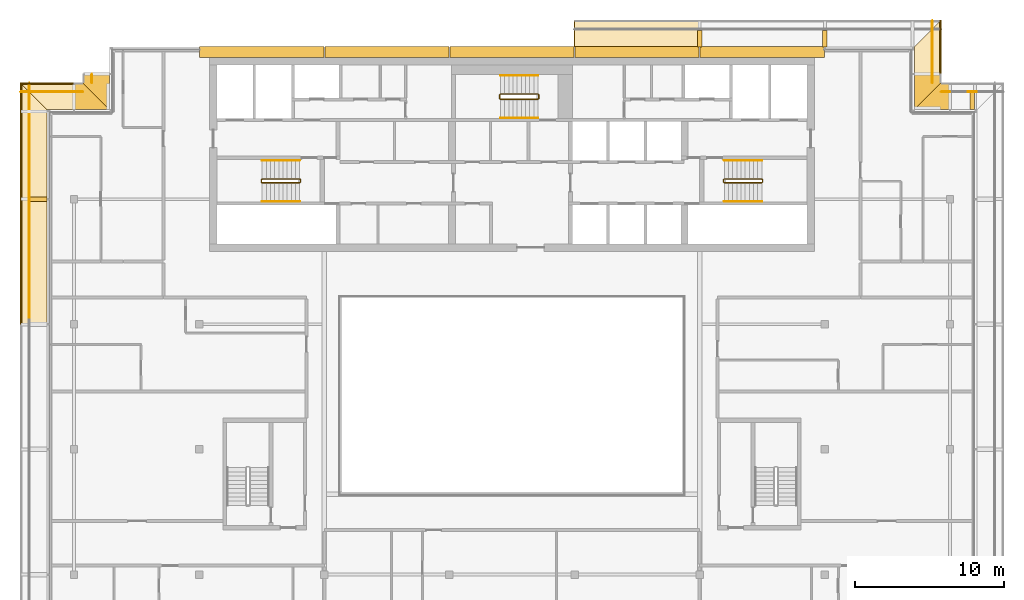
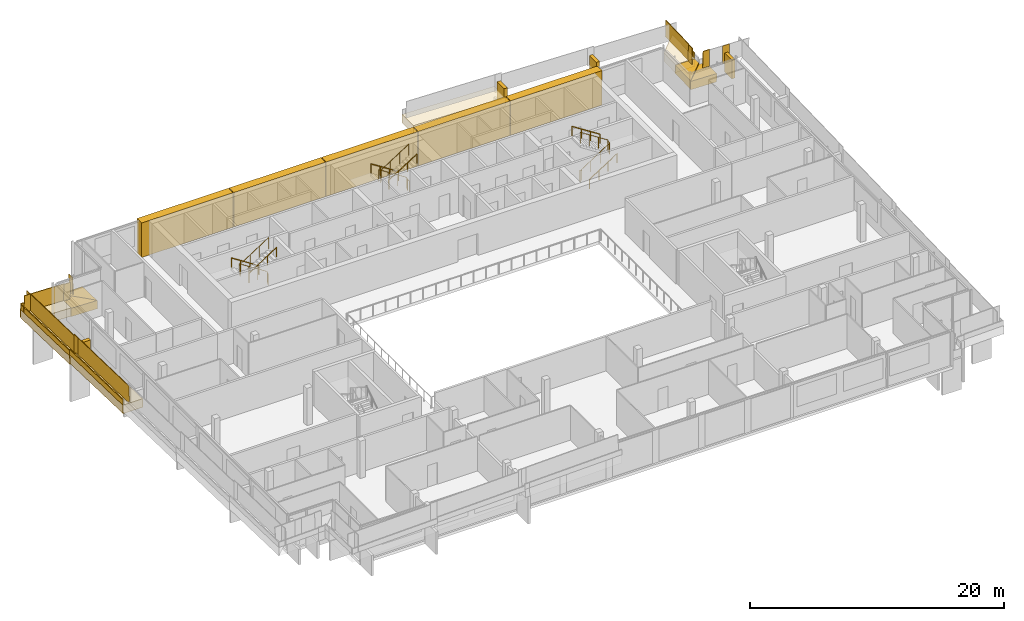
# One storey, part 24 of 27: 22 coverings, 19 railings.
"""IFC4 building model written with IfcOpenShell, lengths in metres."""

from ifc_helpers import new_model, si_unit, direction, frame, origin, origin_2d, place, context, subcontext, project, spatial, polyline, rectangle, circle, outline, extrude, material, layer, layer_set, type_object, element, save


model = new_model("IFC4")

# Units and contexts
model_context = context("Model", 3, precision=1e-05, world=origin(), true_north=direction((0.0, 1.0)))
body_context = subcontext(model_context, "Body", "Model", "MODEL_VIEW")
ifc_project = project(units=[si_unit("LENGTHUNIT", "METRE"), si_unit("AREAUNIT", "SQUARE_METRE"), si_unit("VOLUMEUNIT", "CUBIC_METRE"), si_unit("PLANEANGLEUNIT", "RADIAN"), si_unit("MASSUNIT", "GRAM", prefix="KILO")], contexts=[model_context])

# Site, building, storey
site_placement = place(None, origin())
site = spatial("IfcSite", under=ifc_project, at=site_placement, CompositionType="ELEMENT")
building_placement = place(site_placement, origin())
building = spatial("IfcBuilding", under=site, at=building_placement, Name="Saffron Gate Tower", CompositionType="ELEMENT")
storey_placement = place(building_placement, frame((0.0, 0.0, 274.35009765625)))
storey = spatial("IfcBuildingStorey", under=building, at=storey_placement, Name="L66", CompositionType="ELEMENT", Elevation=274.35009765625)

# Coverings
ifc_material_1 = material(Name="Ceramic-printed bronze insulated panel")
ifc_layer_1 = layer(ifc_material_1, 0.739990234375)
ifc_layer_set_1 = layer_set([ifc_layer_1], Name="CLD5 ceramic-printed cladding panel 740")
covering_type_1 = type_object("IfcCoveringType", Name="CLD5 ceramic-printed cladding panel 740", PredefinedType="CLADDING", material=ifc_layer_set_1)
covering_1_placement = place(storey_placement, origin())
element("IfcCovering", 1, at=covering_1_placement, inside=storey, type_object=covering_type_1, Name="CLADDING ceramic-printed panel", PredefinedType="CLADDING", context=body_context, shape_type="SweptSolid", body=[
    extrude(outline(polyline([(108.56494140625, 75.639892578125), (100.235107421875, 75.639892578125), (100.235107421875, 74.89990234375), (108.56494140625, 74.89990234375), (108.56494140625, 75.639892578125)])), origin(), (0.0, 0.0, 1.0), 3.31982421875),
])
covering_2_placement = place(storey_placement, origin())
element("IfcCovering", 2, at=covering_2_placement, inside=storey, type_object=covering_type_1, Name="CLADDING ceramic-printed panel", PredefinedType="CLADDING", context=body_context, shape_type="SweptSolid", body=[
    extrude(outline(polyline([(100.1650390625, 75.639892578125), (91.8349609375, 75.639892578125), (91.8349609375, 74.89990234375), (100.1650390625, 74.89990234375), (100.1650390625, 75.639892578125)])), origin(), (0.0, 0.0, 1.0), 3.31982421875),
])
covering_3_placement = place(storey_placement, origin())
element("IfcCovering", 3, at=covering_3_placement, inside=storey, type_object=covering_type_1, Name="CLADDING ceramic-printed panel", PredefinedType="CLADDING", context=body_context, shape_type="SweptSolid", body=[
    extrude(outline(polyline([(91.764892578125, 75.639892578125), (83.43505859375, 75.639892578125), (83.43505859375, 74.89990234375), (91.764892578125, 74.89990234375), (91.764892578125, 75.639892578125)])), origin(), (0.0, 0.0, 1.0), 3.31982421875),
])
covering_4_placement = place(storey_placement, origin())
element("IfcCovering", 4, at=covering_4_placement, inside=storey, type_object=covering_type_1, Name="CLADDING ceramic-printed panel", PredefinedType="CLADDING", context=body_context, shape_type="SweptSolid", body=[
    extrude(outline(polyline([(83.364990234375, 75.639892578125), (75.034912109375, 75.639892578125), (75.034912109375, 74.89990234375), (83.364990234375, 74.89990234375), (83.364990234375, 75.639892578125)])), origin(), (0.0, 0.0, 1.0), 3.31982421875),
])
covering_5_placement = place(storey_placement, origin())
element("IfcCovering", 5, at=covering_5_placement, inside=storey, type_object=covering_type_1, Name="CLADDING ceramic-printed panel", PredefinedType="CLADDING", context=body_context, shape_type="SweptSolid", body=[
    extrude(outline(polyline([(74.965087890625, 75.639892578125), (66.635009765625, 75.639892578125), (66.635009765625, 74.89990234375), (74.965087890625, 74.89990234375), (74.965087890625, 75.639892578125)])), origin(), (0.0, 0.0, 1.0), 3.31982421875),
])

# Railings
ifc_material_2 = material(Name="Stainless steel and laminated glass", Category="steel")
railing_type_1 = type_object("IfcRailingType", Name="CR1 Stair guard 1100", PredefinedType="GUARDRAIL", material=ifc_material_2)
railing_1_placement = place(storey_placement, frame((73.39990234375, 66.550048828125, 0.0)))
element("IfcRailing", 6, at=railing_1_placement, inside=storey, type_object=railing_type_1, Name="L66 ST-A stair guard 1", PredefinedType="GUARDRAIL", context=body_context, shape_type="SweptSolid", body=[
    extrude(circle(Radius=0.02392578125, at=origin_2d()), frame((0.0, 0.0, 1.076171875), z_axis=(0.0, 1.0, 0.0), x_axis=(-1.0, 0.0, 0.0)), (0.0, 0.0, 1.0), 0.14990234375),
    extrude(circle(Radius=0.02392578125, at=origin_2d()), frame((0.0, 0.14990234375, 1.076171875), z_axis=(-0.257669022063, 0.258932105505, 0.930892496375), x_axis=(-0.708833529934, -0.705375805398, 0.0)), (0.0, 0.0, 1.0), 0.193359375),
    extrude(circle(Radius=0.02392578125, at=origin_2d()), frame((-0.0498046875, 0.199951171875, 1.255859375), z_axis=(-0.841199657755, 0.0, 0.540724639528), x_axis=(0.0, -1.0, 0.0)), (0.0, 0.0, 1.0), 2.995849609375),
    extrude(circle(Radius=0.02392578125, at=origin_2d()), frame((-2.56982421875, 0.199951171875, 2.8759765625), z_axis=(-0.707106781187, -0.707106781187, 0.0), x_axis=(0.707106781187, -0.707106781187, 0.0)), (0.0, 0.0, 1.0), 0.07080078125),
    extrude(circle(Radius=0.02392578125, at=origin_2d()), frame((-2.619873046875, 0.14990234375, 2.8759765625), z_axis=(0.0, -1.0, 0.0), x_axis=(1.0, 0.0, 0.0)), (0.0, 0.0, 1.0), 0.14990234375),
    extrude(circle(Radius=0.02392578125, at=origin_2d()), frame((-2.619873046875, 0.0, 2.8759765625), z_axis=(0.258543844998, -0.258543844998, 0.930757841991), x_axis=(0.707106781187, 0.707106781187, 0.0)), (0.0, 0.0, 1.0), 0.193603515625),
    extrude(circle(Radius=0.02392578125, at=origin_2d()), frame((-2.56982421875, -0.050048828125, 3.05615234375), z_axis=(0.841199657755, 0.0, 0.540724639528), x_axis=(0.0, 1.0, 0.0)), (0.0, 0.0, 1.0), 2.995849609375),
    extrude(circle(Radius=0.02099609375, at=origin_2d()), origin(), (0.0, 0.0, 1.0), 1.052001953125),
    extrude(circle(Radius=0.02099609375, at=origin_2d()), frame((0.0, 0.14990234375, 0.0)), (0.0, 0.0, 1.0), 1.052001953125),
    extrude(circle(Radius=0.02099609375, at=origin_2d()), frame((-0.0498046875, 0.199951171875, 0.179931640625)), (0.0, 0.0, 1.0), 1.052001953125),
    extrude(circle(Radius=0.02099609375, at=origin_2d()), frame((-0.889892578125, 0.199951171875, 0.719970703125)), (0.0, 0.0, 1.0), 1.052001953125),
    extrude(circle(Radius=0.02099609375, at=origin_2d()), frame((-1.729736328125, 0.199951171875, 1.259765625)), (0.0, 0.0, 1.0), 1.052001953125),
    extrude(circle(Radius=0.02099609375, at=origin_2d()), frame((-2.56982421875, 0.199951171875, 1.7998046875)), (0.0, 0.0, 1.0), 1.052001953125),
    extrude(circle(Radius=0.02099609375, at=origin_2d()), frame((-2.619873046875, 0.14990234375, 1.7998046875)), (0.0, 0.0, 1.0), 1.052001953125),
    extrude(circle(Radius=0.02099609375, at=origin_2d()), frame((-2.619873046875, 0.0, 1.7998046875)), (0.0, 0.0, 1.0), 1.052001953125),
    extrude(circle(Radius=0.02099609375, at=origin_2d()), frame((-2.56982421875, -0.050048828125, 1.97998046875)), (0.0, 0.0, 1.0), 1.052001953125),
    extrude(circle(Radius=0.02099609375, at=origin_2d()), frame((-1.729736328125, -0.050048828125, 2.52001953125)), (0.0, 0.0, 1.0), 1.052001953125),
    extrude(circle(Radius=0.02099609375, at=origin_2d()), frame((-0.889892578125, -0.050048828125, 3.059814453125)), (0.0, 0.0, 1.0), 1.052001953125),
    extrude(circle(Radius=0.02099609375, at=origin_2d()), frame((-0.0498046875, -0.050048828125, 3.599853515625)), (0.0, 0.0, 1.0), 1.052001953125),
])
railing_2_placement = place(storey_placement, frame((101.800048828125, 66.699951171875, 0.0)))
element("IfcRailing", 7, at=railing_2_placement, inside=storey, type_object=railing_type_1, Name="L66 ST-B stair guard 1", PredefinedType="GUARDRAIL", context=body_context, shape_type="SweptSolid", body=[
    extrude(circle(Radius=0.02392578125, at=origin_2d()), frame((0.0, 0.0, 1.076171875), z_axis=(0.0, -1.0, 0.0), x_axis=(1.0, 0.0, 0.0)), (0.0, 0.0, 1.0), 0.14990234375),
    extrude(circle(Radius=0.02392578125, at=origin_2d()), frame((0.0, -0.14990234375, 1.076171875), z_axis=(0.258847668887, -0.258847668887, 0.930588936439), x_axis=(0.707106781187, 0.707106781187, 0.0)), (0.0, 0.0, 1.0), 0.193359375),
    extrude(circle(Radius=0.02392578125, at=origin_2d()), frame((0.050048828125, -0.199951171875, 1.255859375), z_axis=(0.841199657755, 0.0, 0.540724639528), x_axis=(0.0, 1.0, 0.0)), (0.0, 0.0, 1.0), 2.995849609375),
    extrude(circle(Radius=0.02392578125, at=origin_2d()), frame((2.570068359375, -0.199951171875, 2.8759765625), z_axis=(0.705375805398, 0.708833529934, 0.0), x_axis=(-0.708833529934, 0.705375805398, 0.0)), (0.0, 0.0, 1.0), 0.070556640625),
    extrude(circle(Radius=0.02392578125, at=origin_2d()), frame((2.619873046875, -0.14990234375, 2.8759765625), z_axis=(0.0, 1.0, 0.0), x_axis=(-1.0, 0.0, 0.0)), (0.0, 0.0, 1.0), 0.14990234375),
    extrude(circle(Radius=0.02392578125, at=origin_2d()), frame((2.619873046875, 0.0, 2.8759765625), z_axis=(-0.257366384619, 0.258627984543, 0.931060744355), x_axis=(-0.708833529934, -0.705375805398, 0.0)), (0.0, 0.0, 1.0), 0.193603515625),
    extrude(circle(Radius=0.02392578125, at=origin_2d()), frame((2.570068359375, 0.050048828125, 3.05615234375), z_axis=(-0.841199657755, 0.0, 0.540724639528), x_axis=(0.0, -1.0, 0.0)), (0.0, 0.0, 1.0), 2.995849609375),
    extrude(circle(Radius=0.02099609375, at=origin_2d()), origin(), (0.0, 0.0, 1.0), 1.052001953125),
    extrude(circle(Radius=0.02099609375, at=origin_2d()), frame((0.0, -0.14990234375, 0.0)), (0.0, 0.0, 1.0), 1.052001953125),
    extrude(circle(Radius=0.02099609375, at=origin_2d()), frame((0.050048828125, -0.199951171875, 0.179931640625)), (0.0, 0.0, 1.0), 1.052001953125),
    extrude(circle(Radius=0.02099609375, at=origin_2d()), frame((0.89013671875, -0.199951171875, 0.719970703125)), (0.0, 0.0, 1.0), 1.052001953125),
    extrude(circle(Radius=0.02099609375, at=origin_2d()), frame((1.72998046875, -0.199951171875, 1.259765625)), (0.0, 0.0, 1.0), 1.052001953125),
    extrude(circle(Radius=0.02099609375, at=origin_2d()), frame((2.570068359375, -0.199951171875, 1.7998046875)), (0.0, 0.0, 1.0), 1.052001953125),
    extrude(circle(Radius=0.02099609375, at=origin_2d()), frame((2.619873046875, -0.14990234375, 1.7998046875)), (0.0, 0.0, 1.0), 1.052001953125),
    extrude(circle(Radius=0.02099609375, at=origin_2d()), frame((2.619873046875, 0.0, 1.7998046875)), (0.0, 0.0, 1.0), 1.052001953125),
    extrude(circle(Radius=0.02099609375, at=origin_2d()), frame((2.570068359375, 0.050048828125, 1.97998046875)), (0.0, 0.0, 1.0), 1.052001953125),
    extrude(circle(Radius=0.02099609375, at=origin_2d()), frame((1.72998046875, 0.050048828125, 2.52001953125)), (0.0, 0.0, 1.0), 1.052001953125),
    extrude(circle(Radius=0.02099609375, at=origin_2d()), frame((0.89013671875, 0.050048828125, 3.059814453125)), (0.0, 0.0, 1.0), 1.052001953125),
    extrude(circle(Radius=0.02099609375, at=origin_2d()), frame((0.050048828125, 0.050048828125, 3.599853515625)), (0.0, 0.0, 1.0), 1.052001953125),
])
railing_3_placement = place(storey_placement, frame((89.39990234375, 72.14990234375, 0.0)))
element("IfcRailing", 8, at=railing_3_placement, inside=storey, type_object=railing_type_1, Name="L66 ST-C stair guard 1", PredefinedType="GUARDRAIL", context=body_context, shape_type="SweptSolid", body=[
    extrude(circle(Radius=0.02392578125, at=origin_2d()), frame((0.0, 0.0, 1.076171875), z_axis=(0.0, 1.0, 0.0), x_axis=(-1.0, 0.0, 0.0)), (0.0, 0.0, 1.0), 0.25),
    extrude(circle(Radius=0.02392578125, at=origin_2d()), frame((0.0, 0.25, 1.076171875), z_axis=(-0.257669022063, 0.258932105505, 0.930892496375), x_axis=(-0.708833529934, -0.705375805398, 0.0)), (0.0, 0.0, 1.0), 0.193359375),
    extrude(circle(Radius=0.02392578125, at=origin_2d()), frame((-0.0498046875, 0.300048828125, 1.255859375), z_axis=(-0.841199657755, 0.0, 0.540724639528), x_axis=(0.0, -1.0, 0.0)), (0.0, 0.0, 1.0), 2.995849609375),
    extrude(circle(Radius=0.02392578125, at=origin_2d()), frame((-2.56982421875, 0.300048828125, 2.8759765625), z_axis=(-0.707106781187, -0.707106781187, 0.0), x_axis=(0.707106781187, -0.707106781187, 0.0)), (0.0, 0.0, 1.0), 0.07080078125),
    extrude(circle(Radius=0.02392578125, at=origin_2d()), frame((-2.619873046875, 0.25, 2.8759765625), z_axis=(0.0, -1.0, 0.0), x_axis=(1.0, 0.0, 0.0)), (0.0, 0.0, 1.0), 0.25),
    extrude(circle(Radius=0.02392578125, at=origin_2d()), frame((-2.619873046875, 0.0, 2.8759765625), z_axis=(0.258627984543, -0.257366384619, 0.931060744355), x_axis=(0.705375805398, 0.708833529934, 0.0)), (0.0, 0.0, 1.0), 0.193603515625),
    extrude(circle(Radius=0.02392578125, at=origin_2d()), frame((-2.56982421875, -0.0498046875, 3.05615234375), z_axis=(0.841199657755, 0.0, 0.540724639528), x_axis=(0.0, 1.0, 0.0)), (0.0, 0.0, 1.0), 2.995849609375),
    extrude(circle(Radius=0.02099609375, at=origin_2d()), origin(), (0.0, 0.0, 1.0), 1.052001953125),
    extrude(circle(Radius=0.02099609375, at=origin_2d()), frame((0.0, 0.25, 0.0)), (0.0, 0.0, 1.0), 1.052001953125),
    extrude(circle(Radius=0.02099609375, at=origin_2d()), frame((-0.0498046875, 0.300048828125, 0.179931640625)), (0.0, 0.0, 1.0), 1.052001953125),
    extrude(circle(Radius=0.02099609375, at=origin_2d()), frame((-0.889892578125, 0.300048828125, 0.719970703125)), (0.0, 0.0, 1.0), 1.052001953125),
    extrude(circle(Radius=0.02099609375, at=origin_2d()), frame((-1.729736328125, 0.300048828125, 1.259765625)), (0.0, 0.0, 1.0), 1.052001953125),
    extrude(circle(Radius=0.02099609375, at=origin_2d()), frame((-2.56982421875, 0.300048828125, 1.7998046875)), (0.0, 0.0, 1.0), 1.052001953125),
    extrude(circle(Radius=0.02099609375, at=origin_2d()), frame((-2.619873046875, 0.25, 1.7998046875)), (0.0, 0.0, 1.0), 1.052001953125),
    extrude(circle(Radius=0.02099609375, at=origin_2d()), frame((-2.619873046875, 0.0, 1.7998046875)), (0.0, 0.0, 1.0), 1.052001953125),
    extrude(circle(Radius=0.02099609375, at=origin_2d()), frame((-2.56982421875, -0.0498046875, 1.97998046875)), (0.0, 0.0, 1.0), 1.052001953125),
    extrude(circle(Radius=0.02099609375, at=origin_2d()), frame((-1.729736328125, -0.0498046875, 2.52001953125)), (0.0, 0.0, 1.0), 1.052001953125),
    extrude(circle(Radius=0.02099609375, at=origin_2d()), frame((-0.889892578125, -0.0498046875, 3.059814453125)), (0.0, 0.0, 1.0), 1.052001953125),
    extrude(circle(Radius=0.02099609375, at=origin_2d()), frame((-0.0498046875, -0.0498046875, 3.599853515625)), (0.0, 0.0, 1.0), 1.052001953125),
])
ifc_material_3 = material(Name="Stainless steel", Category="steel")
railing_type_2 = type_object("IfcRailingType", Name="CR2 Stair handrail 900", PredefinedType="HANDRAIL", material=ifc_material_3)
railing_4_placement = place(storey_placement, frame((73.35009765625, 68.0, 0.179931640625)))
element("IfcRailing", 9, at=railing_4_placement, inside=storey, type_object=railing_type_2, Name="L66 ST-A stair handrail 1", PredefinedType="HANDRAIL", context=body_context, shape_type="SweptSolid", body=[
    extrude(circle(Radius=0.02392578125, at=origin_2d()), frame((0.0, 0.0, 0.8759765625), z_axis=(-0.841199657755, 0.0, 0.540724639528), x_axis=(0.0, -1.0, 0.0)), (0.0, 0.0, 1.0), 2.995849609375),
    extrude(circle(Radius=0.02099609375, at=origin_2d()), origin(), (0.0, 0.0, 1.0), 0.851806640625),
    extrude(circle(Radius=0.02099609375, at=origin_2d()), frame((-0.840087890625, 0.0, 0.5400390625)), (0.0, 0.0, 1.0), 0.851806640625),
    extrude(circle(Radius=0.02099609375, at=origin_2d()), frame((-1.679931640625, 0.0, 1.079833984375)), (0.0, 0.0, 1.0), 0.851806640625),
    extrude(circle(Radius=0.02099609375, at=origin_2d()), frame((-2.52001953125, 0.0, 1.619873046875)), (0.0, 0.0, 1.0), 0.851806640625),
])
for number, where, name in (
    (10, (70.830078125, 65.25, 1.97998046875), "L66 ST-A stair handrail 2"),
    (11, (101.85009765625, 65.25, 0.179931640625), "L66 ST-B stair handrail 1"),
):
    element("IfcRailing", number, at=place(storey_placement, frame(where)), inside=storey, type_object=railing_type_2, Name=name, PredefinedType="HANDRAIL", context=body_context, shape_type="SweptSolid", body=[
        extrude(circle(Radius=0.02392578125, at=origin_2d()), frame((0.0, 0.0, 0.8759765625), z_axis=(0.841199657755, 0.0, 0.540724639528), x_axis=(0.0, 1.0, 0.0)), (0.0, 0.0, 1.0), 2.995849609375),
        extrude(circle(Radius=0.02099609375, at=origin_2d()), origin(), (0.0, 0.0, 1.0), 0.851806640625),
        extrude(circle(Radius=0.02099609375, at=origin_2d()), frame((0.840087890625, 0.0, 0.5400390625)), (0.0, 0.0, 1.0), 0.851806640625),
        extrude(circle(Radius=0.02099609375, at=origin_2d()), frame((1.679931640625, 0.0, 1.079833984375)), (0.0, 0.0, 1.0), 0.851806640625),
        extrude(circle(Radius=0.02099609375, at=origin_2d()), frame((2.52001953125, 0.0, 1.619873046875)), (0.0, 0.0, 1.0), 0.851806640625),
    ])
for number, where, name in (
    (12, (104.3701171875, 68.0, 1.97998046875), "L66 ST-B stair handrail 2"),
    (13, (89.35009765625, 73.699951171875, 0.179931640625), "L66 ST-C stair handrail 1"),
):
    element("IfcRailing", number, at=place(storey_placement, frame(where)), inside=storey, type_object=railing_type_2, Name=name, PredefinedType="HANDRAIL", context=body_context, shape_type="SweptSolid", body=[
        extrude(circle(Radius=0.02392578125, at=origin_2d()), frame((0.0, 0.0, 0.8759765625), z_axis=(-0.841199657755, 0.0, 0.540724639528), x_axis=(0.0, -1.0, 0.0)), (0.0, 0.0, 1.0), 2.995849609375),
        extrude(circle(Radius=0.02099609375, at=origin_2d()), origin(), (0.0, 0.0, 1.0), 0.851806640625),
        extrude(circle(Radius=0.02099609375, at=origin_2d()), frame((-0.840087890625, 0.0, 0.5400390625)), (0.0, 0.0, 1.0), 0.851806640625),
        extrude(circle(Radius=0.02099609375, at=origin_2d()), frame((-1.679931640625, 0.0, 1.079833984375)), (0.0, 0.0, 1.0), 0.851806640625),
        extrude(circle(Radius=0.02099609375, at=origin_2d()), frame((-2.52001953125, 0.0, 1.619873046875)), (0.0, 0.0, 1.0), 0.851806640625),
    ])
railing_5_placement = place(storey_placement, frame((86.830078125, 70.85009765625, 1.97998046875)))
element("IfcRailing", 14, at=railing_5_placement, inside=storey, type_object=railing_type_2, Name="L66 ST-C stair handrail 2", PredefinedType="HANDRAIL", context=body_context, shape_type="SweptSolid", body=[
    extrude(circle(Radius=0.02392578125, at=origin_2d()), frame((0.0, 0.0, 0.8759765625), z_axis=(0.841199657755, 0.0, 0.540724639528), x_axis=(0.0, 1.0, 0.0)), (0.0, 0.0, 1.0), 2.995849609375),
    extrude(circle(Radius=0.02099609375, at=origin_2d()), origin(), (0.0, 0.0, 1.0), 0.851806640625),
    extrude(circle(Radius=0.02099609375, at=origin_2d()), frame((0.840087890625, 0.0, 0.5400390625)), (0.0, 0.0, 1.0), 0.851806640625),
    extrude(circle(Radius=0.02099609375, at=origin_2d()), frame((1.679931640625, 0.0, 1.079833984375)), (0.0, 0.0, 1.0), 0.851806640625),
    extrude(circle(Radius=0.02099609375, at=origin_2d()), frame((2.52001953125, 0.0, 1.619873046875)), (0.0, 0.0, 1.0), 0.851806640625),
])

# Coverings
ifc_material_4 = material(Name="Timber, thermally modified ash", Category="wood")
ifc_layer_2 = layer(ifc_material_4, 0.800048828125)
ifc_layer_set_2 = layer_set([ifc_layer_2], Name="LD1 ledge timber")
covering_type_2 = type_object("IfcCoveringType", Name="LD1 ledge timber", PredefinedType="CLADDING", material=ifc_layer_set_2)
covering_6_placement = place(storey_placement, frame((117.0, 71.39990234375, 2.20947265625), z_axis=(0.028715367168, 8.2902309e-05, 0.999587625381), x_axis=(-0.999587628816, -5.153e-09, 0.028715367267)))
element("IfcCovering", 15, at=covering_6_placement, inside=storey, type_object=covering_type_2, Name="LEDGE", PredefinedType="CLADDING", context=body_context, shape_type="SweptSolid", body=[
    extrude(outline(polyline([(0.0, 0.0), (2.4008966895022996, 0.0), (0.6003409251337037, -1.800048837404124), (-9.275308203811229e-09, -1.800048821939319), (0.0, 0.0)])), origin(), (0.0, 0.0, -1.0), 0.800048828125),
])
covering_7_placement = place(storey_placement, frame((114.60009765625, 71.39990234375, 2.32568359375), z_axis=(2.633725e-05, -0.028794305201, 0.999585357683), x_axis=(5.2e-10, 0.99958535803, 0.028794305211)))
element("IfcCovering", 16, at=covering_7_placement, inside=storey, type_object=covering_type_2, Name="LEDGE", PredefinedType="CLADDING", context=body_context, shape_type="SweptSolid", body=[
    extrude(outline(polyline([(0.0, 0.0), (2.401140733194568, 0.0), (2.4011407341303483, -1.799804686875782), (1.8007927835182762, -1.7998046884363594), (0.0, 0.0)])), origin(), (0.0, 0.0, -1.0), 0.800048828125),
])
covering_8_placement = place(storey_placement, frame((114.60009765625, 73.800048828125, 2.441650390625), z_axis=(4.3893604e-05, -0.028833291474, 0.999584233257), x_axis=(-1.926e-09, 0.99958423422, 0.028833291502)))
element("IfcCovering", 17, at=covering_8_placement, inside=storey, type_object=covering_type_2, Name="LEDGE", PredefinedType="CLADDING", context=body_context, shape_type="SweptSolid", body=[
    extrude(outline(polyline([(0.0, 0.0), (1.8007998168930421, -4.235164736271502e-22), (3.6013485518229187, -1.7998046961684937), (-3.4656747156648246e-09, -1.7998046857662044), (0.0, 0.0)])), origin(), (0.0, 0.0, -1.0), 0.800048828125),
])
covering_9_placement = place(storey_placement, frame((100.199951171875, 75.60009765625, 3.22607421875), z_axis=(0.028791175352, 0.0, 0.999585448184), x_axis=(-0.999585448184, 0.0, 0.028791175352)))
element("IfcCovering", 18, at=covering_9_placement, inside=storey, type_object=covering_type_2, Name="LEDGE", PredefinedType="CLADDING", context=body_context, shape_type="SweptSolid", body=[
    extrude(outline(polyline([(0.0, 0.0), (8.403385982666892, 0.0), (8.403385982666892, -1.7998046875), (0.0, -1.7998046875), (0.0, 0.0)])), origin(), (0.0, 0.0, -1.0), 0.800048828125),
])
covering_10_placement = place(storey_placement, frame((60.60009765625, 73.800048828125, 0.00146484375), z_axis=(-7.83279e-07, 0.028875577331, 0.999583013578), x_axis=(0.0, -0.999583013578, 0.028875577331)))
element("IfcCovering", 19, at=covering_10_placement, inside=storey, type_object=covering_type_2, Name="LEDGE", PredefinedType="CLADDING", context=body_context, shape_type="SweptSolid", body=[
    extrude(outline(polyline([(0.0, 0.0), (2.4011477711054536, -6.617444900424222e-24), (0.6003479524809541, -1.8000488281258282), (-8.279089157693734e-13, -1.8000488281244476), (0.0, 0.0)])), origin(), (0.0, 0.0, -1.0), 0.800048828125),
])
covering_11_placement = place(storey_placement, frame((60.60009765625, 71.39990234375, 0.11767578125), z_axis=(0.028875577331, -7.83279e-07, 0.999583013578), x_axis=(-0.999583013578, 0.0, 0.028875577331)))
element("IfcCovering", 20, at=covering_11_placement, inside=storey, type_object=covering_type_2, Name="LEDGE", PredefinedType="CLADDING", context=body_context, shape_type="SweptSolid", body=[
    extrude(outline(polyline([(0.0, 0.0), (2.4011477711054536, 6.617444900424222e-24), (2.4011477711062814, -1.8000488281244476), (1.8007998186244996, -1.800048828125828), (0.0, 0.0)])), origin(), (0.0, 0.0, -1.0), 0.800048828125),
])
covering_12_placement = place(storey_placement, frame((58.199951171875, 71.39990234375, 0.23388671875), z_axis=(0.028833291474, 4.3887651e-05, 0.999584233257), x_axis=(-0.99958423422, -1.925e-09, 0.028833291502)))
element("IfcCovering", 21, at=covering_12_placement, inside=storey, type_object=covering_type_2, Name="LEDGE", PredefinedType="CLADDING", context=body_context, shape_type="SweptSolid", body=[
    extrude(outline(polyline([(0.0, 0.0), (1.8007998168930421, -4.235164736271502e-22), (3.6013485518229187, -1.800048836792318), (-3.4656747156665518e-09, -1.8000488263914396), (0.0, 0.0)])), origin(), (0.0, 0.0, -1.0), 0.800048828125),
])
covering_13_placement = place(storey_placement, frame((56.39990234375, 71.39990234375, 0.321044921875), z_axis=(2.3920834e-05, 0.028789477025, 0.999585496814), x_axis=(-1.72e-10, -0.9995854971, 0.028789477033)))
element("IfcCovering", 22, at=covering_13_placement, inside=storey, type_object=covering_type_2, Name="LEDGE", PredefinedType="CLADDING", context=body_context, shape_type="SweptSolid", body=[
    extrude(outline(polyline([(0.0, 0.0), (6.002489288687248, -8.470329472543003e-22), (6.002489288996045, -1.7998046869850703), (-1.800792782710612, -1.7998046893537554), (0.0, 0.0)])), origin(), (0.0, 0.0, -1.0), 0.800048828125),
])
covering_14_placement = place(storey_placement, frame((56.39990234375, 65.39990234375, 0.611572265625), z_axis=(0.0, 0.028791175352, 0.999585448184), x_axis=(0.0, -0.999585448184, 0.028791175352)))
element("IfcCovering", 23, at=covering_14_placement, inside=storey, type_object=covering_type_2, Name="LEDGE", PredefinedType="CLADDING", context=body_context, shape_type="SweptSolid", body=[
    extrude(outline(polyline([(0.0, 0.0), (8.403385982666892, 0.0), (8.403385982666892, -1.7998046875), (0.0, -1.7998046875), (0.0, 0.0)])), origin(), (0.0, 0.0, -1.0), 0.800048828125),
])
ifc_layer_3 = layer(ifc_material_4, 0.080078125)
ifc_layer_set_3 = layer_set([ifc_layer_3], Name="LD2 ledge planter trough")
covering_type_3 = type_object("IfcCoveringType", Name="LD2 ledge planter trough", PredefinedType="CLADDING", material=ifc_layer_set_3)
for number, where, z_axis, x_axis, name in (
    (24, (116.39990234375, 73.800048828125, 2.441650390625), (1.0, 0.0, 0.0), (0.0, 0.999584866472, 0.028811364412), "LEDGE planter trough"),
    (25, (58.199951171875, 73.199951171875, 0.23388671875), (0.0, 1.0, 0.0), (-0.999584866472, 0.0, 0.028811364412), "LEDGE planter trough"),
):
    element("IfcCovering", number, at=place(storey_placement, frame(where, z_axis=z_axis, x_axis=x_axis)), inside=storey, type_object=covering_type_3, Name=name, PredefinedType="CLADDING", context=body_context, shape_type="SweptSolid", body=[
        extrude(outline(polyline([(0.0, 0.0), (3.601348556155073, 0.0), (3.6157542383609322, 0.49979243323622236), (0.01440568220585924, 0.49979243323622236), (0.0, 0.0)])), origin(), (0.0, 0.0, -1.0), 0.080078125),
    ])
covering_15_placement = place(storey_placement, frame((54.60009765625, 73.199951171875, 0.269287109375), z_axis=(-1.0, 0.0, 0.0), x_axis=(0.0, -0.999585655924, 0.028783962047)))
element("IfcCovering", 26, at=covering_15_placement, inside=storey, type_object=covering_type_3, Name="LEDGE planter trough", PredefinedType="CLADDING", context=body_context, shape_type="SweptSolid", body=[
    extrude(outline(polyline([(0.0, 0.0), (7.803282071825423, 2.7755575615628914e-17), (7.817674052849086, 0.4997928279619612), (0.014391981023662846, 0.4997928279619612), (0.0, 0.0)])), origin(), (0.0, 0.0, -1.0), 0.080078125),
])
covering_16_placement = place(storey_placement, frame((54.60009765625, 65.39990234375, 0.611572265625), z_axis=(-1.0, 0.0, 0.0), x_axis=(0.0, -0.999585448184, 0.028791175352)))
element("IfcCovering", 27, at=covering_16_placement, inside=storey, type_object=covering_type_3, Name="LEDGE planter trough", PredefinedType="CLADDING", context=body_context, shape_type="SweptSolid", body=[
    extrude(outline(polyline([(0.0, 0.0), (8.403385982666892, 0.0), (8.417781570342743, 0.49979272409216496), (0.014395587675851172, 0.4997927240921649), (0.0, 0.0)])), origin(), (0.0, 0.0, -1.0), 0.080078125),
])
ifc_layer_4 = layer(ifc_material_4, 0.300048828125)
ifc_layer_set_4 = layer_set([ifc_layer_4], Name="LD3 ledge riser fin")
covering_type_4 = type_object("IfcCoveringType", Name="LD3 ledge riser fin", PredefinedType="CLADDING", material=ifc_layer_set_4)
for number, where, z_axis, x_axis, name in (
    (28, (118.5, 71.9599609375, 1.20458984375), (0.0, 0.0, 1.0), (-1.0, 0.0, 0.0), "LEDGE riser fin"),
    (29, (108.60009765625, 76.159912109375, 1.90185546875), (0.0, 0.0, 1.0), (-1.0, 0.0, 0.0), "LEDGE riser fin"),
):
    element("IfcCovering", number, at=place(storey_placement, frame(where, z_axis=z_axis, x_axis=x_axis)), inside=storey, type_object=covering_type_4, Name=name, PredefinedType="CLADDING", context=body_context, shape_type="SweptSolid", body=[
        extrude(rectangle(XDim=0.300048828125, YDim=1.1201171875, at=origin_2d()), origin(), (0.0, 0.0, 1.0), 1.817626953125),
    ])
covering_17_placement = place(storey_placement, frame((100.199951171875, 76.159912109375, 2.261474609375), z_axis=(0.0, 0.0, 1.0), x_axis=(-1.0, 0.0, 0.0)))
element("IfcCovering", 30, at=covering_17_placement, inside=storey, type_object=covering_type_4, Name="LEDGE riser fin", PredefinedType="CLADDING", context=body_context, shape_type="SweptSolid", body=[
    extrude(rectangle(XDim=0.300048828125, YDim=1.1201171875, at=origin_2d()), origin(), (0.0, 0.0, 1.0), 1.86474609375),
])
covering_18_placement = place(storey_placement, frame((55.840087890625, 65.39990234375, -0.30615234375), z_axis=(0.0, 0.0, 1.0), x_axis=(0.0, -1.0, 0.0)))
element("IfcCovering", 31, at=covering_18_placement, inside=storey, type_object=covering_type_4, Name="LEDGE riser fin", PredefinedType="CLADDING", context=body_context, shape_type="SweptSolid", body=[
    extrude(rectangle(XDim=0.300048828125, YDim=1.1201171875, at=origin_2d()), origin(), (0.0, 0.0, 1.0), 1.817626953125),
])

# Railings
railing_type_3 = type_object("IfcRailingType", Name="LG1 ledge balustrade", PredefinedType="BALUSTRADE", material=ifc_material_4)
railing_6_placement = place(storey_placement, frame((118.800048828125, 72.60009765625, 2.004638671875)))
element("IfcRailing", 32, at=railing_6_placement, inside=storey, type_object=railing_type_3, Name="LEDGE BALUSTRADE", PredefinedType="BALUSTRADE", context=body_context, shape_type="SweptSolid", body=[
    extrude(rectangle(XDim=0.06005859375, YDim=1.7177734375, at=origin_2d()), frame((0.0, 0.0, 0.85888671875), z_axis=(-1.0, 0.0, 0.0), x_axis=(0.0, -1.0, 0.0)), (0.0, 0.0, 1.0), 0.60009765625),
])
railing_7_placement = place(storey_placement, frame((117.0, 72.60009765625, 2.20947265625)))
element("IfcRailing", 33, at=railing_7_placement, inside=storey, type_object=railing_type_3, Name="LEDGE BALUSTRADE", PredefinedType="BALUSTRADE", context=body_context, shape_type="SweptSolid", body=[
    extrude(rectangle(XDim=0.06005859375, YDim=1.60009765625, at=origin_2d()), frame((0.0, 0.0, 0.800048828125), z_axis=(-0.999594735783, 0.0, 0.028466896463), x_axis=(0.0, -1.0, 0.0)), (0.0, 0.0, 1.0), 0.600341796875),
])
railing_8_placement = place(storey_placement, frame((115.800048828125, 73.199951171875, 2.37744140625)))
element("IfcRailing", 34, at=railing_8_placement, inside=storey, type_object=railing_type_3, Name="LEDGE BALUSTRADE", PredefinedType="BALUSTRADE", context=body_context, shape_type="SweptSolid", body=[
    extrude(rectangle(XDim=0.06005859375, YDim=1.60009765625, at=origin_2d()), frame((0.0, 0.0, 0.800048828125), z_axis=(0.0, 0.999583081391, 0.028873229772), x_axis=(-1.0, 0.0, 0.0)), (0.0, 0.0, 1.0), 0.600341796875),
])
railing_9_placement = place(storey_placement, frame((115.800048828125, 73.800048828125, 2.441650390625)))
element("IfcRailing", 35, at=railing_9_placement, inside=storey, type_object=railing_type_3, Name="LEDGE BALUSTRADE", PredefinedType="BALUSTRADE", context=body_context, shape_type="SweptSolid", body=[
    extrude(rectangle(XDim=0.06005859375, YDim=1.60009765625, at=origin_2d()), frame((0.0, 0.0, 0.800048828125), z_axis=(0.0, 0.999584866472, 0.028811364412), x_axis=(-1.0, 0.0, 0.0)), (0.0, 0.0, 1.0), 3.601318359375),
])
railing_10_placement = place(storey_placement, frame((59.39990234375, 73.800048828125, 0.00146484375)))
element("IfcRailing", 36, at=railing_10_placement, inside=storey, type_object=railing_type_3, Name="LEDGE BALUSTRADE", PredefinedType="BALUSTRADE", context=body_context, shape_type="SweptSolid", body=[
    extrude(rectangle(XDim=0.06005859375, YDim=1.60009765625, at=origin_2d()), frame((0.0, 0.0, 0.800048828125), z_axis=(0.0, -0.999583081391, 0.028873229772), x_axis=(1.0, 0.0, 0.0)), (0.0, 0.0, 1.0), 0.600341796875),
])
railing_11_placement = place(storey_placement, frame((58.800048828125, 72.60009765625, 0.169677734375)))
element("IfcRailing", 37, at=railing_11_placement, inside=storey, type_object=railing_type_3, Name="LEDGE BALUSTRADE", PredefinedType="BALUSTRADE", context=body_context, shape_type="SweptSolid", body=[
    extrude(rectangle(XDim=0.06005859375, YDim=1.60009765625, at=origin_2d()), frame((0.0, 0.0, 0.800048828125), z_axis=(-0.999583081391, 0.0, 0.028873229772), x_axis=(0.0, -1.0, 0.0)), (0.0, 0.0, 1.0), 0.600341796875),
])
railing_12_placement = place(storey_placement, frame((58.199951171875, 72.60009765625, 0.23388671875)))
element("IfcRailing", 38, at=railing_12_placement, inside=storey, type_object=railing_type_3, Name="LEDGE BALUSTRADE", PredefinedType="BALUSTRADE", context=body_context, shape_type="SweptSolid", body=[
    extrude(rectangle(XDim=0.06005859375, YDim=1.60009765625, at=origin_2d()), frame((0.0, 0.0, 0.800048828125), z_axis=(-0.999584866472, 0.0, 0.028811364412), x_axis=(0.0, -1.0, 0.0)), (0.0, 0.0, 1.0), 3.601318359375),
])
railing_13_placement = place(storey_placement, frame((55.199951171875, 73.199951171875, 0.269287109375)))
element("IfcRailing", 39, at=railing_13_placement, inside=storey, type_object=railing_type_3, Name="LEDGE BALUSTRADE", PredefinedType="BALUSTRADE", context=body_context, shape_type="SweptSolid", body=[
    extrude(rectangle(XDim=0.06005859375, YDim=1.60009765625, at=origin_2d()), frame((0.0, 0.0, 0.800048828125), z_axis=(0.0, -0.999585655924, 0.028783962047), x_axis=(1.0, 0.0, 0.0)), (0.0, 0.0, 1.0), 7.80322265625),
])
railing_14_placement = place(storey_placement, frame((55.199951171875, 65.39990234375, 0.611572265625)))
element("IfcRailing", 40, at=railing_14_placement, inside=storey, type_object=railing_type_3, Name="LEDGE BALUSTRADE", PredefinedType="BALUSTRADE", context=body_context, shape_type="SweptSolid", body=[
    extrude(rectangle(XDim=0.06005859375, YDim=1.60009765625, at=origin_2d()), frame((0.0, 0.0, 0.800048828125), z_axis=(0.0, -0.999585448184, 0.028791175352), x_axis=(1.0, 0.0, 0.0)), (0.0, 0.0, 1.0), 8.4033203125),
])
railing_15_placement = place(storey_placement, frame((55.199951171875, 65.699951171875, 0.493896484375)))
element("IfcRailing", 41, at=railing_15_placement, inside=storey, type_object=railing_type_3, Name="LEDGE BALUSTRADE", PredefinedType="BALUSTRADE", context=body_context, shape_type="SweptSolid", body=[
    extrude(rectangle(XDim=0.06005859375, YDim=1.7177734375, at=origin_2d()), frame((0.0, 0.0, 0.85888671875), z_axis=(0.0, -1.0, 0.0), x_axis=(1.0, 0.0, 0.0)), (0.0, 0.0, 1.0), 0.599853515625),
])

save(model, "model.ifc")
